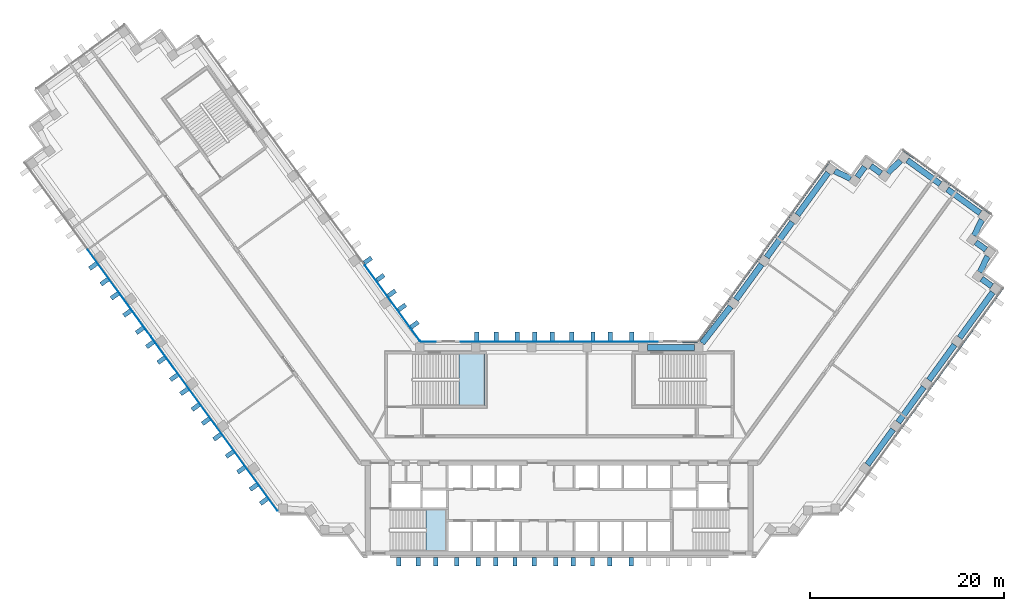
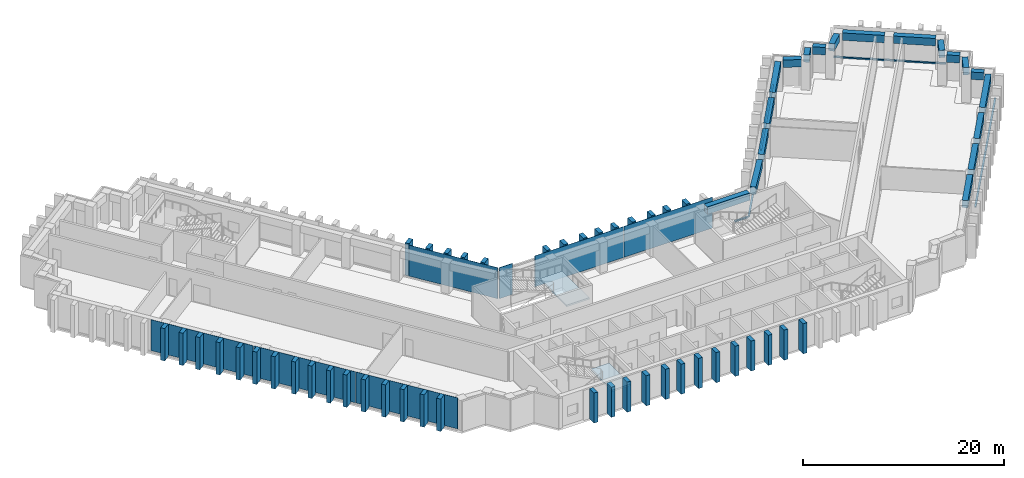
"""IFC4 building model written with IfcOpenShell, lengths in metres."""

import ifcopenshell
import ifcopenshell.guid

model = None  # the IFC model being written
_history = None  # IfcOwnerHistory: only IFC2X3 demands one
_inside = {}  # id of a spatial element -> (the spatial element, [elements in it])
_under = {}  # id of a project, library or spatial element -> (it, [spatial elements below it])
_declared = {}  # id of a project -> (the project, [libraries it declares])
_typed = {}  # id of a type object -> (the type object, [elements of that type])
_made_of = {}  # id of a material, layer set ... -> (it, [elements and type objects made of it])


def new_model(schema):
    """Start an empty IFC model of exactly this schema.

    Asked for "IFC4X3", IfcOpenShell would pick the latest addendum, in which some entities
    have other attributes; the version numbers below select the first issue.
    IFC2X3 requires an IfcOwnerHistory on every rooted entity: one is made here for all.
    """
    global model, _history
    if schema == "IFC4X3":
        model = ifcopenshell.file(schema_version=(4, 3, 0, 0))
    else:
        model = ifcopenshell.file(schema=schema)
    _inside.clear()
    _under.clear()
    _declared.clear()
    _typed.clear()
    _made_of.clear()
    _history = None
    if model.schema == "IFC2X3":
        org = make("IfcOrganization", Name="unknown")
        user = make(
            "IfcPersonAndOrganization",
            ThePerson=make("IfcPerson", FamilyName="unknown"),
            TheOrganization=org,
        )
        app = make(
            "IfcApplication",
            ApplicationDeveloper=org,
            Version="unknown",
            ApplicationFullName="unknown",
            ApplicationIdentifier="unknown",
        )
        _history = make(
            "IfcOwnerHistory",
            OwningUser=user,
            OwningApplication=app,
            ChangeAction="ADDED",
            CreationDate=0,
        )
    return model


def make(cls, **values):
    """One entity of the class cls with the attributes given. An attribute that is None is left unset."""
    return model.create_entity(
        cls, **{name: value for name, value in values.items() if value is not None}
    )


def rooted(cls, **values):
    """An entity with a GlobalId (a new one), such as an element, a storey or a relation."""
    return make(cls, GlobalId=ifcopenshell.guid.new(), OwnerHistory=_history, **values)


def si_unit(unit_type, name, prefix=None):
    """IfcSIUnit, for example si_unit("LENGTHUNIT", "METRE", prefix="MILLI")."""
    return make("IfcSIUnit", UnitType=unit_type, Prefix=prefix, Name=name)


def assignment(units):
    """IfcUnitAssignment: the units of a project."""
    return None if units is None else make("IfcUnitAssignment", Units=units)


def point(xyz):
    """IfcCartesianPoint."""
    return None if xyz is None else make("IfcCartesianPoint", Coordinates=xyz)


def direction(xyz):
    """IfcDirection."""
    return None if xyz is None else make("IfcDirection", DirectionRatios=xyz)


def frame(location, z_axis=None, x_axis=None):
    """IfcAxis2Placement3D, a coordinate frame: its origin and axes. An axis left out is left unset."""
    return make(
        "IfcAxis2Placement3D",
        Location=point(location),
        Axis=direction(z_axis),
        RefDirection=direction(x_axis),
    )


def frame_2d(location, x_axis=None):
    """IfcAxis2Placement2D, a coordinate frame in the plane: its origin and x axis."""
    return make(
        "IfcAxis2Placement2D", Location=point(location), RefDirection=direction(x_axis)
    )


def origin():
    """The frame at (0, 0, 0) with its axes left unset."""
    return frame((0.0, 0.0, 0.0))


def origin_2d():
    """The frame at (0, 0) in the plane with its x axis left unset."""
    return frame_2d((0.0, 0.0))


def place(relative_to, where):
    """IfcLocalPlacement: puts the frame where relative to a parent placement (None: the world)."""
    return make(
        "IfcLocalPlacement", PlacementRelTo=relative_to, RelativePlacement=where
    )


def context(
    kind, dimensions, precision=None, world=None, true_north=None, identifier=None
):
    """IfcGeometricRepresentationContext, for example the 3D "Model" context."""
    return make(
        "IfcGeometricRepresentationContext",
        ContextIdentifier=identifier,
        ContextType=kind,
        CoordinateSpaceDimension=dimensions,
        Precision=precision,
        WorldCoordinateSystem=world,
        TrueNorth=true_north,
    )


def subcontext(parent, identifier, kind, view, scale=None):
    """IfcGeometricRepresentationSubContext, for example "Body" below "Model"."""
    return make(
        "IfcGeometricRepresentationSubContext",
        ContextIdentifier=identifier,
        ContextType=kind,
        ParentContext=parent,
        TargetScale=scale,
        TargetView=view,
    )


def project(units=None, contexts=None):
    """IfcProject with its units and contexts."""
    return rooted(
        "IfcProject",
        Name="project",
        RepresentationContexts=contexts,
        UnitsInContext=assignment(units),
    )


def spatial(cls, under=None, at=None, **own):
    """A site, building, storey or space (cls), placed at a placement, below another one or the project."""
    s = rooted(cls, ObjectPlacement=at, **own)
    if under is not None:
        _under.setdefault(under.id(), (under, []))[1].append(s)
    return s


def polyline(points):
    """IfcPolyline through the points."""
    return make("IfcPolyline", Points=[point(p) for p in points])


def profile(cls, at=None, kind="AREA", **sizes):
    """A parametric profile (cls). Its sizes go by their IFC names, for example OverallWidth=200.0."""
    return make(cls, ProfileType=kind, Position=at, **sizes)


def rectangle(**sizes):
    """IfcRectangleProfileDef."""
    return profile("IfcRectangleProfileDef", **sizes)


def outline(outer, holes=None, kind="AREA"):
    """IfcArbitraryClosedProfileDef: a profile drawn as a closed curve; with holes, ...WithVoids."""
    if holes is None:
        return make("IfcArbitraryClosedProfileDef", ProfileType=kind, OuterCurve=outer)
    return make(
        "IfcArbitraryProfileDefWithVoids",
        ProfileType=kind,
        OuterCurve=outer,
        InnerCurves=holes,
    )


def extrude(swept, where, along, depth):
    """IfcExtrudedAreaSolid: the profile swept, set in the frame where, extruded along a direction by depth."""
    return make(
        "IfcExtrudedAreaSolid",
        SweptArea=swept,
        Position=where,
        ExtrudedDirection=direction(along),
        Depth=depth,
    )


def shape(context_of_items, identifier, shape_type, items):
    """IfcShapeRepresentation: the items that make up one representation, for example the "Body"."""
    return make(
        "IfcShapeRepresentation",
        ContextOfItems=context_of_items,
        RepresentationIdentifier=identifier,
        RepresentationType=shape_type,
        Items=items,
    )


def material(Name=None, Category=None):
    """IfcMaterial."""
    return make("IfcMaterial", Name=Name, Category=Category)


def layer(
    of_material, thickness, ventilated=None, Name=None, Category=None, Priority=None
):
    """IfcMaterialLayer: one layer of a wall or slab, of a material (None: an air gap)."""
    return make(
        "IfcMaterialLayer",
        Material=of_material,
        LayerThickness=thickness,
        IsVentilated=ventilated,
        Name=Name,
        Category=Category,
        Priority=Priority,
    )


def layer_set(layers, Name=None):
    """IfcMaterialLayerSet."""
    return make("IfcMaterialLayerSet", MaterialLayers=layers, LayerSetName=Name)


def material_profile(
    of_material, cross_section, Name=None, Category=None, Priority=None
):
    """IfcMaterialProfile: a cross section and its material."""
    return make(
        "IfcMaterialProfile",
        Name=Name,
        Material=of_material,
        Profile=cross_section,
        Priority=Priority,
        Category=Category,
    )


def profile_set(profiles, Name=None, composite=None):
    """IfcMaterialProfileSet."""
    return make(
        "IfcMaterialProfileSet",
        Name=Name,
        MaterialProfiles=profiles,
        CompositeProfile=composite,
    )


def made_of(thing, what):
    """Note that an element or type object is made of a material, layer set ...; save() writes the relation."""
    if what is not None:
        _made_of.setdefault(what.id(), (what, []))[1].append(thing)
    return thing


def type_object(cls, material=None, **own):
    """A type object (cls), such as IfcWallType, which elements share."""
    return made_of(rooted(cls, **own), material)


def element(
    cls,
    number,
    at=None,
    inside=None,
    cuts=None,
    type_object=None,
    material=None,
    context=None,
    identifier="Body",
    shape_type=None,
    held_by="IfcProductDefinitionShape",
    body=None,
    shapes=None,
    **own,
):
    """One element of the class cls, such as IfcWall. Its Tag is "e" and its number.

    at: its placement. inside: the storey or other place that contains it. cuts: it is an
    opening in that element (IfcRelVoidsElement). A single representation is given by context,
    identifier, shape_type and body (its items); several are given by shapes. held_by: the class
    of the entity that holds the representations. save() writes the other relations.
    """
    e = rooted(cls, Tag="e%d" % number, ObjectPlacement=at, **own)
    if body is not None:
        shapes = [shape(context, identifier, shape_type, body)]
    if shapes is not None:
        e.Representation = make(held_by, Representations=shapes)
    if inside is not None:
        _inside.setdefault(inside.id(), (inside, []))[1].append(e)
    if cuts is not None:
        rooted(
            "IfcRelVoidsElement", RelatingBuildingElement=cuts, RelatedOpeningElement=e
        )
    if type_object is not None:
        _typed.setdefault(type_object.id(), (type_object, []))[1].append(e)
    return made_of(e, material)


def aggregate(whole, parts):
    """IfcRelAggregates: a whole, such as a stair, and the parts it consists of."""
    return rooted("IfcRelAggregates", RelatingObject=whole, RelatedObjects=parts)


def save(model, path):
    """Write the relations noted so far, then the file.

    IfcRelAggregates (storeys below a building ...), IfcRelContainedInSpatialStructure (elements
    in a storey), IfcRelDefinesByType, IfcRelAssociatesMaterial and IfcRelDeclares: one each for
    every whole, place, type object, material and project.
    """
    for whole, parts in _under.values():
        aggregate(whole, parts)
    for where, things in _inside.values():
        rooted(
            "IfcRelContainedInSpatialStructure",
            RelatedElements=things,
            RelatingStructure=where,
        )
    for kind, things in _typed.values():
        rooted("IfcRelDefinesByType", RelatedObjects=things, RelatingType=kind)
    for what, things in _made_of.values():
        rooted("IfcRelAssociatesMaterial", RelatedObjects=things, RelatingMaterial=what)
    for by, libraries in _declared.values():
        rooted("IfcRelDeclares", RelatingContext=by, RelatedDefinitions=libraries)
    model.write(path)


model = new_model("IFC4")

# Units and contexts
model_context = context("Model", 3, precision=1e-05, world=origin(), true_north=direction((0.0, 1.0)))
body_context = subcontext(model_context, "Body", "Model", "MODEL_VIEW")
ifc_project = project(units=[si_unit("LENGTHUNIT", "METRE"), si_unit("AREAUNIT", "SQUARE_METRE"), si_unit("VOLUMEUNIT", "CUBIC_METRE"), si_unit("PLANEANGLEUNIT", "RADIAN"), si_unit("MASSUNIT", "GRAM", prefix="KILO")], contexts=[model_context])

# Site, building, storey
site_placement = place(None, origin())
site = spatial("IfcSite", under=ifc_project, at=site_placement, CompositionType="ELEMENT")
building_placement = place(site_placement, origin())
building = spatial("IfcBuilding", under=site, at=building_placement, Name="Quipu Civic Tower", CompositionType="ELEMENT")
storey_1_placement = place(building_placement, frame((0.0, 0.0, 117.0)))
storey_1 = spatial("IfcBuildingStorey", under=building, at=storey_1_placement, Name="L27", CompositionType="ELEMENT", Elevation=117.0)

# Beams
ifc_material_1 = material(Name="Concrete C50/60", Category="concrete")
ifc_material_profile_1 = material_profile(ifc_material_1, rectangle(XDim=0.60009765625, YDim=0.89990234375, at=origin_2d()), Name="RC600x900")
ifc_profile_set_1 = profile_set([ifc_material_profile_1], Name="Concrete C50/60")
beam_type = type_object("IfcBeamType", Name="Spandrel beam RC 600x900 C50/60", PredefinedType="SPANDREL", material=ifc_profile_set_1)
beam_1_placement = place(storey_1_placement, frame((31.812744140625, -1.604736328125, 3.199951171875), z_axis=(0.587778073121, 0.809022210299, 0.0), x_axis=(-0.809022210299, 0.587778073121, 0.0)))
element("IfcBeam", 1, at=beam_1_placement, inside=storey_1, type_object=beam_type, Name="Spandrel beam L27 E-OUT-01 to E-OUT-02", PredefinedType="SPANDREL", context=body_context, shape_type="SweptSolid", body=[
    extrude(rectangle(XDim=0.60009765625, YDim=0.89990234375, at=origin_2d()), origin(), (0.0, 0.0, 1.0), 4.5),
])
beam_2_placement = place(storey_1_placement, frame((34.98681640625, 2.76416015625, 3.199951171875), z_axis=(0.587803872688, 0.809003465539, 0.0), x_axis=(-0.809003465539, 0.587803872688, 0.0)))
element("IfcBeam", 2, at=beam_2_placement, inside=storey_1, type_object=beam_type, Name="Spandrel beam L27 E-OUT-02 to E-OUT-03", PredefinedType="SPANDREL", context=body_context, shape_type="SweptSolid", body=[
    extrude(rectangle(XDim=0.60009765625, YDim=0.89990234375, at=origin_2d()), origin(), (0.0, 0.0, 1.0), 4.499755859375),
])
beam_3_placement = place(storey_1_placement, frame((38.160888671875, 7.1328125, 3.199951171875), z_axis=(0.587778073121, 0.809022210299, 0.0), x_axis=(-0.809022210299, 0.587778073121, 0.0)))
element("IfcBeam", 3, at=beam_3_placement, inside=storey_1, type_object=beam_type, Name="Spandrel beam L27 E-OUT-03 to E-OUT-04", PredefinedType="SPANDREL", context=body_context, shape_type="SweptSolid", body=[
    extrude(rectangle(XDim=0.60009765625, YDim=0.89990234375, at=origin_2d()), origin(), (0.0, 0.0, 1.0), 4.5),
])
beam_4_placement = place(storey_1_placement, frame((41.3349609375, 11.50146484375, 3.199951171875), z_axis=(0.587766353983, 0.809030724463, 0.0), x_axis=(-0.809030724463, 0.587766353983, 0.0)))
element("IfcBeam", 4, at=beam_4_placement, inside=storey_1, type_object=beam_type, Name="Spandrel beam L27 E-OUT-04 to T-Eo.0-E34", PredefinedType="SPANDREL", context=body_context, shape_type="SweptSolid", body=[
    extrude(rectangle(XDim=0.60009765625, YDim=0.89990234375, at=origin_2d()), origin(), (0.0, 0.0, 1.0), 5.802734375),
])
beam_5_placement = place(storey_1_placement, frame((44.646240234375, 16.82470703125, 3.199951171875), z_axis=(-0.808524921146, 0.588461937499, 0.0), x_axis=(-0.588461937499, -0.808524921146, 0.0)))
element("IfcBeam", 5, at=beam_5_placement, inside=storey_1, type_object=beam_type, Name="Spandrel beam L27 T-Eo.0-E34 to T-Eo.1-E34", PredefinedType="SPANDREL", context=body_context, shape_type="SweptSolid", body=[
    extrude(rectangle(XDim=0.60009765625, YDim=0.89990234375, at=origin_2d()), origin(), (0.0, 0.0, 1.0), 1.30029296875),
])
beam_6_placement = place(storey_1_placement, frame((43.42822265625, 18.267578125, 3.199951171875), z_axis=(0.430677818234, 0.902505743406, 0.0), x_axis=(-0.902505743406, 0.430677818234, 0.0)))
element("IfcBeam", 6, at=beam_6_placement, inside=storey_1, type_object=beam_type, Name="Spandrel beam L27 T-Eo.1-E34 to T-Eo.2-E34", PredefinedType="SPANDREL", context=body_context, shape_type="SweptSolid", body=[
    extrude(rectangle(XDim=0.60009765625, YDim=0.89990234375, at=origin_2d()), origin(), (0.0, 0.0, 1.0), 1.833251953125),
])
beam_7_placement = place(storey_1_placement, frame((44.05078125, 20.59912109375, 3.199951171875), z_axis=(-0.809393823939, 0.587266240959, 0.0), x_axis=(-0.587266240959, -0.809393823939, 0.0)))
element("IfcBeam", 7, at=beam_7_placement, inside=storey_1, type_object=beam_type, Name="Spandrel beam L27 T-Eo.2-E34 to T-Eo.3-E34", PredefinedType="SPANDREL", context=body_context, shape_type="SweptSolid", body=[
    extrude(rectangle(XDim=0.60009765625, YDim=0.89990234375, at=origin_2d()), origin(), (0.0, 0.0, 1.0), 1.299072265625),
])
beam_8_placement = place(storey_1_placement, frame((42.83154296875, 22.03955078125, 3.199951171875), z_axis=(0.429892146977, 0.902880247856, 0.0), x_axis=(-0.902880247856, 0.429892146977, 0.0)))
element("IfcBeam", 8, at=beam_8_placement, inside=storey_1, type_object=beam_type, Name="Spandrel beam L27 T-Eo.3-E34 to T-Eo.4-E34", PredefinedType="SPANDREL", context=body_context, shape_type="SweptSolid", body=[
    extrude(rectangle(XDim=0.60009765625, YDim=0.89990234375, at=origin_2d()), origin(), (0.0, 0.0, 1.0), 1.829833984375),
])
beam_9_placement = place(storey_1_placement, frame((43.450927734375, 24.36962890625, 3.199951171875), z_axis=(-0.808987489375, 0.587825860298, 0.0), x_axis=(-0.587825860298, -0.808987489375, 0.0)))
element("IfcBeam", 9, at=beam_9_placement, inside=storey_1, type_object=beam_type, Name="Spandrel beam L27 T-Eo.4-E34 to TIP-E-01-E34", PredefinedType="SPANDREL", context=body_context, shape_type="SweptSolid", body=[
    extrude(rectangle(XDim=0.60009765625, YDim=0.89990234375, at=origin_2d()), origin(), (0.0, 0.0, 1.0), 4.1982421875),
])
beam_10_placement = place(storey_1_placement, frame((39.32666015625, 27.366455078125, 3.199951171875), z_axis=(-0.808969789945, 0.58785021813, 0.0), x_axis=(-0.58785021813, -0.808969789945, 0.0)))
element("IfcBeam", 10, at=beam_10_placement, inside=storey_1, type_object=beam_type, Name="Spandrel beam L27 TIP-E-01-E34 to T-Ei.0-E34", PredefinedType="SPANDREL", context=body_context, shape_type="SweptSolid", body=[
    extrude(rectangle(XDim=0.60009765625, YDim=0.89990234375, at=origin_2d()), origin(), (0.0, 0.0, 1.0), 4.199951171875),
])
beam_11_placement = place(storey_1_placement, frame((35.233154296875, 29.784912109375, 3.199951171875), z_axis=(-0.725209203815, -0.688528583795, 0.0), x_axis=(0.688528583795, -0.725209203815, 0.0)))
element("IfcBeam", 11, at=beam_11_placement, inside=storey_1, type_object=beam_type, Name="Spandrel beam L27 T-Ei.0-E34 to T-Ei.1-E34", PredefinedType="SPANDREL", context=body_context, shape_type="SweptSolid", body=[
    extrude(rectangle(XDim=0.60009765625, YDim=0.89990234375, at=origin_2d()), origin(), (0.0, 0.0, 1.0), 1.830322265625),
])
beam_12_placement = place(storey_1_placement, frame((33.209716796875, 28.4736328125, 3.199951171875), z_axis=(-0.809402563526, 0.587254195521, 0.0), x_axis=(-0.587254195521, -0.809402563526, 0.0)))
element("IfcBeam", 12, at=beam_12_placement, inside=storey_1, type_object=beam_type, Name="Spandrel beam L27 T-Ei.1-E34 to T-Ei.2-E34", PredefinedType="SPANDREL", context=body_context, shape_type="SweptSolid", body=[
    extrude(rectangle(XDim=0.60009765625, YDim=0.89990234375, at=origin_2d()), origin(), (0.0, 0.0, 1.0), 1.2978515625),
])
beam_13_placement = place(storey_1_placement, frame((31.52978515625, 29.136474609375, 3.199951171875), z_axis=(-0.589187485143, -0.80799635355, 0.0), x_axis=(0.80799635355, -0.589187485143, 0.0)))
element("IfcBeam", 13, at=beam_13_placement, inside=storey_1, type_object=beam_type, Name="Spandrel beam L27 T-Ei.2-E34 to T-Ei.3-E34", PredefinedType="SPANDREL", context=body_context, shape_type="SweptSolid", body=[
    extrude(rectangle(XDim=0.60009765625, YDim=0.89990234375, at=origin_2d()), origin(), (0.0, 0.0, 1.0), 1.2998046875),
])
beam_14_placement = place(storey_1_placement, frame((30.085693359375, 27.919677734375, 3.199951171875), z_axis=(-0.902567013751, 0.430549399823, 0.0), x_axis=(-0.430549399823, -0.902567013751, 0.0)))
element("IfcBeam", 14, at=beam_14_placement, inside=storey_1, type_object=beam_type, Name="Spandrel beam L27 T-Ei.3-E34 to T-Ei.4-E34", PredefinedType="SPANDREL", context=body_context, shape_type="SweptSolid", body=[
    extrude(rectangle(XDim=0.60009765625, YDim=0.89990234375, at=origin_2d()), origin(), (0.0, 0.0, 1.0), 1.8310546875),
])
beam_15_placement = place(storey_1_placement, frame((27.755615234375, 28.541015625, 3.199951171875), z_axis=(-0.58767640123, -0.809096068114, 0.0), x_axis=(0.809096068114, -0.58767640123, 0.0)))
element("IfcBeam", 15, at=beam_15_placement, inside=storey_1, type_object=beam_type, Name="Spandrel beam L27 T-Ei.4-E34 to E-IN-03", PredefinedType="SPANDREL", context=body_context, shape_type="SweptSolid", body=[
    extrude(rectangle(XDim=0.60009765625, YDim=0.89990234375, at=origin_2d()), origin(), (0.0, 0.0, 1.0), 5.39404296875),
])
for number, where, z_axis, x_axis, name in (
    (16, (24.056884765625, 23.448486328125, 3.199951171875), (-0.587778073121, -0.809022210299, 0.0), (0.809022210299, -0.587778073121, 0.0), "Spandrel beam L27 E-IN-03 to E-IN-02"),
    (17, (20.8828125, 19.079833984375, 3.199951171875), (-0.587716763865, -0.809066749701, 0.0), (0.809066749701, -0.587716763865, 0.0), "Spandrel beam L27 E-IN-02 to E-IN-01"),
):
    element("IfcBeam", number, at=place(storey_1_placement, frame(where, z_axis=z_axis, x_axis=x_axis)), inside=storey_1, type_object=beam_type, Name=name, PredefinedType="SPANDREL", context=body_context, shape_type="SweptSolid", body=[
        extrude(rectangle(XDim=0.60009765625, YDim=0.89990234375, at=origin_2d()), origin(), (0.0, 0.0, 1.0), 4.5),
    ])
beam_16_placement = place(storey_1_placement, frame((17.6962890625, 14.72021484375, 3.199951171875), z_axis=(-0.616123961998, -0.787649200756, 0.0), x_axis=(0.787649200756, -0.616123961998, 0.0)))
element("IfcBeam", 18, at=beam_16_placement, inside=storey_1, type_object=beam_type, Name="Spandrel beam L27 E-IN-01 to J-Ei.0", PredefinedType="SPANDREL", context=body_context, shape_type="SweptSolid", body=[
    extrude(rectangle(XDim=0.60009765625, YDim=0.89990234375, at=origin_2d()), origin(), (0.0, 0.0, 1.0), 4.78662109375),
])
beam_17_placement = place(storey_1_placement, frame((13.9453125, 10.5, 3.199951171875), z_axis=(-1.0, 0.0, 0.0), x_axis=(0.0, -1.0, 0.0)))
element("IfcBeam", 19, at=beam_17_placement, inside=storey_1, type_object=beam_type, Name="Spandrel beam L27 J-Ei.0 to FRONT-01", PredefinedType="SPANDREL", context=body_context, shape_type="SweptSolid", body=[
    extrude(rectangle(XDim=0.60009765625, YDim=0.89990234375, at=origin_2d()), origin(), (0.0, 0.0, 1.0), 4.858154296875),
])

# Storey
storey_2_placement = place(building_placement, frame((0.0, 0.0, 113.0)))
storey_2 = spatial("IfcBuildingStorey", under=building, at=storey_2_placement, Name="L26", CompositionType="ELEMENT", Elevation=113.0)

# Curtain wall, members
ifc_material_2 = material(Name="Insulated glass unit", Category="glass")
curtain_wall_type = type_object("IfcCurtainWallType", Name="Office curtain wall CW1", PredefinedType="NOTDEFINED", material=ifc_material_2)
curtain_wall_1_placement = place(storey_2_placement, origin())
curtain_wall_1 = element("IfcCurtainWall", 20, at=curtain_wall_1_placement, inside=storey_2, type_object=curtain_wall_type, Name="Office curtain wall CW1 L25 run 23", PredefinedType="NOTDEFINED")
ifc_material_3 = material(Name="Anodised aluminium", Category="aluminium")
ifc_material_profile_2 = material_profile(ifc_material_3, rectangle(XDim=0.199951171875, YDim=0.159912109375, at=origin_2d()), Name="RECT 200x160")
ifc_profile_set_2 = profile_set([ifc_material_profile_2], Name="Anodised aluminium")
member_type = type_object("IfcMemberType", Name="Transom CW1", PredefinedType="USERDEFINED", material=ifc_profile_set_2)
member_1_placement = place(storey_1_placement, frame((34.67724609375, 1.317138671875, 0.080078125), z_axis=(0.587790407593, 0.809013248805, 0.0), x_axis=(-0.809013248805, 0.587790407593, 0.0)))
member_1 = element("IfcMember", 21, at=member_1_placement, inside=storey_1, type_object=member_type, Name="CW1 transom 2.3", ObjectType="TRANSOM", PredefinedType="USERDEFINED", context=body_context, shape_type="SweptSolid", body=[
    extrude(rectangle(XDim=0.199951171875, YDim=0.159912109375, at=origin_2d()), origin(), (0.0, 0.0, 1.0), 9.443359375),
])
member_2_placement = place(storey_1_placement, frame((40.275146484375, 9.02197265625, 0.080078125), z_axis=(0.58778879159, 0.809014422913, 0.0), x_axis=(-0.809014422913, 0.58778879159, 0.0)))
member_2 = element("IfcMember", 22, at=member_2_placement, inside=storey_1, type_object=member_type, Name="CW1 transom 3.3", ObjectType="TRANSOM", PredefinedType="USERDEFINED", context=body_context, shape_type="SweptSolid", body=[
    extrude(rectangle(XDim=0.199951171875, YDim=0.159912109375, at=origin_2d()), origin(), (0.0, 0.0, 1.0), 9.403564453125),
])
aggregate(curtain_wall_1, [member_1, member_2])

# Curtain wall, member
curtain_wall_2_placement = place(storey_2_placement, origin())
curtain_wall_2 = element("IfcCurtainWall", 23, at=curtain_wall_2_placement, inside=storey_2, type_object=curtain_wall_type, Name="Office curtain wall CW1 L25 run 25", PredefinedType="NOTDEFINED")
member_3_placement = place(storey_1_placement, frame((44.590087890625, 24.2841796875, 0.080078125), z_axis=(-0.809014959561, 0.587788052963, 0.0), x_axis=(-0.587788052963, -0.809014959561, 0.0)))
member_3 = element("IfcMember", 24, at=member_3_placement, inside=storey_1, type_object=member_type, Name="CW1 transom 1.3", ObjectType="TRANSOM", PredefinedType="USERDEFINED", context=body_context, shape_type="SweptSolid", body=[
    extrude(rectangle(XDim=0.199951171875, YDim=0.159912109375, at=origin_2d()), origin(), (0.0, 0.0, 1.0), 11.239990234375),
])
aggregate(curtain_wall_2, [member_3])

# Curtain wall, members
curtain_wall_3_placement = place(storey_2_placement, origin())
curtain_wall_3 = element("IfcCurtainWall", 25, at=curtain_wall_3_placement, inside=storey_2, type_object=curtain_wall_type, Name="Office curtain wall CW1 L25 run 30", PredefinedType="NOTDEFINED")
member_4_placement = place(storey_1_placement, frame((27.84228515625, 29.678466796875, 0.080078125), z_axis=(-0.587775682251, -0.809023947331, 0.0), x_axis=(0.809023947331, -0.587775682251, 0.0)))
member_4 = element("IfcMember", 26, at=member_4_placement, inside=storey_1, type_object=member_type, Name="CW1 transom 1.3", ObjectType="TRANSOM", PredefinedType="USERDEFINED", context=body_context, shape_type="SweptSolid", body=[
    extrude(rectangle(XDim=0.199951171875, YDim=0.159912109375, at=origin_2d()), origin(), (0.0, 0.0, 1.0), 11.402099609375),
])
member_5_placement = place(storey_1_placement, frame((21.09326171875, 20.38916015625, 0.080078125), z_axis=(-0.587799878401, -0.809006367683, 0.0), x_axis=(0.809006367683, -0.587799878401, 0.0)))
member_5 = element("IfcMember", 27, at=member_5_placement, inside=storey_1, type_object=member_type, Name="CW1 transom 2.3", ObjectType="TRANSOM", PredefinedType="USERDEFINED", context=body_context, shape_type="SweptSolid", body=[
    extrude(rectangle(XDim=0.199951171875, YDim=0.159912109375, at=origin_2d()), origin(), (0.0, 0.0, 1.0), 11.402099609375),
])
aggregate(curtain_wall_3, [member_4, member_5])

# Curtain wall, member
curtain_wall_4_placement = place(storey_2_placement, origin())
curtain_wall_4 = element("IfcCurtainWall", 28, at=curtain_wall_4_placement, inside=storey_2, type_object=curtain_wall_type, Name="Office curtain wall CW1 L25 run 31", PredefinedType="NOTDEFINED")
member_6_placement = place(storey_1_placement, frame((14.26416015625, 11.10009765625, 0.080078125), z_axis=(-1.0, 0.0, 0.0), x_axis=(0.0, -1.0, 0.0)))
member_6 = element("IfcMember", 29, at=member_6_placement, inside=storey_1, type_object=member_type, Name="CW1 transom 1.3", ObjectType="TRANSOM", PredefinedType="USERDEFINED", context=body_context, shape_type="SweptSolid", body=[
    extrude(rectangle(XDim=0.199951171875, YDim=0.159912109375, at=origin_2d()), origin(), (0.0, 0.0, 1.0), 1.529052734375),
])
aggregate(curtain_wall_4, [member_6])

# Curtain wall, plate
curtain_wall_5_placement = place(storey_2_placement, origin())
curtain_wall_5 = element("IfcCurtainWall", 30, at=curtain_wall_5_placement, inside=storey_2, type_object=curtain_wall_type, Name="Office curtain wall CW1 L25 run 1", PredefinedType="NOTDEFINED")
ifc_material_4 = material(Name="Insulated glass unit", Category="glass")
ifc_layer_1 = layer(ifc_material_4, 0.028076171875)
ifc_layer_set_1 = layer_set([ifc_layer_1], Name="Insulated glass unit")
plate_type_1 = type_object("IfcPlateType", Name="Glass panel CW1", PredefinedType="CURTAIN_PANEL", material=ifc_layer_set_1)
plate_1_placement = place(storey_1_placement, frame((-17.224609375, 15.064697265625, 0.16015625), z_axis=(0.0, 0.0, 1.0), x_axis=(-0.587785887566, 0.809016532822, 0.0)))
plate_1 = element("IfcPlate", 31, at=plate_1_placement, inside=storey_1, type_object=plate_type_1, Name="CW1 panel 1.3", PredefinedType="CURTAIN_PANEL", context=body_context, shape_type="SweptSolid", body=[
    extrude(rectangle(XDim=9.64111328125, YDim=0.028076171875, at=origin_2d()), origin(), (0.0, 0.0, 1.0), 3.760009765625),
])
aggregate(curtain_wall_5, [plate_1])

# Curtain wall, plates
curtain_wall_6_placement = place(storey_2_placement, origin())
curtain_wall_6 = element("IfcCurtainWall", 32, at=curtain_wall_6_placement, inside=storey_2, type_object=curtain_wall_type, Name="Office curtain wall CW1 L25 run 11", PredefinedType="NOTDEFINED")
plate_2_placement = place(storey_1_placement, frame((-45.4296875, 16.11669921875, 0.16015625), z_axis=(0.0, 0.0, 1.0), x_axis=(0.587785559869, -0.809016770908, 0.0)))
plate_2 = element("IfcPlate", 33, at=plate_2_placement, inside=storey_1, type_object=plate_type_1, Name="CW1 panel 2.3", PredefinedType="CURTAIN_PANEL", context=body_context, shape_type="SweptSolid", body=[
    extrude(rectangle(XDim=11.062744140625, YDim=0.028076171875, at=origin_2d()), origin(), (0.0, 0.0, 1.0), 3.760009765625),
])
plate_3_placement = place(storey_1_placement, frame((-38.880126953125, 7.101806640625, 0.16015625), z_axis=(0.0, 0.0, 1.0), x_axis=(0.587785559869, -0.809016770908, 0.0)))
plate_3 = element("IfcPlate", 34, at=plate_3_placement, inside=storey_1, type_object=plate_type_1, Name="CW1 panel 3.3", PredefinedType="CURTAIN_PANEL", context=body_context, shape_type="SweptSolid", body=[
    extrude(rectangle(XDim=11.062744140625, YDim=0.028076171875, at=origin_2d()), origin(), (0.0, 0.0, 1.0), 3.760009765625),
])
plate_4_placement = place(storey_1_placement, frame((-32.342529296875, -1.896484375, 0.16015625), z_axis=(0.0, 0.0, 1.0), x_axis=(0.587785559869, -0.809016770908, 0.0)))
plate_4 = element("IfcPlate", 35, at=plate_4_placement, inside=storey_1, type_object=plate_type_1, Name="CW1 panel 4.3", PredefinedType="CURTAIN_PANEL", context=body_context, shape_type="SweptSolid", body=[
    extrude(rectangle(XDim=11.022705078125, YDim=0.028076171875, at=origin_2d()), origin(), (0.0, 0.0, 1.0), 3.760009765625),
])
aggregate(curtain_wall_6, [plate_2, plate_3, plate_4])

curtain_wall_7_placement = place(storey_2_placement, origin())
curtain_wall_7 = element("IfcCurtainWall", 36, at=curtain_wall_7_placement, inside=storey_2, type_object=curtain_wall_type, Name="Office curtain wall CW1 L25 run 33", PredefinedType="NOTDEFINED")
plate_5_placement = place(storey_1_placement, frame((5.11181640625, 11.10009765625, 0.16015625), z_axis=(0.0, 0.0, 1.0), x_axis=(-1.0, 0.0, 0.0)))
plate_5 = element("IfcPlate", 37, at=plate_5_placement, inside=storey_1, type_object=plate_type_1, Name="CW1 panel 1.3", PredefinedType="CURTAIN_PANEL", context=body_context, shape_type="SweptSolid", body=[
    extrude(rectangle(XDim=10.1435546875, YDim=0.028076171875, at=origin_2d()), origin(), (0.0, 0.0, 1.0), 3.760009765625),
])
plate_6_placement = place(storey_1_placement, frame((-5.11181640625, 11.10009765625, 0.16015625), z_axis=(0.0, 0.0, 1.0), x_axis=(-1.0, 0.0, 0.0)))
plate_6 = element("IfcPlate", 38, at=plate_6_placement, inside=storey_1, type_object=plate_type_1, Name="CW1 panel 2.3", PredefinedType="CURTAIN_PANEL", context=body_context, shape_type="SweptSolid", body=[
    extrude(rectangle(XDim=10.1435546875, YDim=0.028076171875, at=origin_2d()), origin(), (0.0, 0.0, 1.0), 3.760009765625),
])
aggregate(curtain_wall_7, [plate_5, plate_6])

# Curtain wall, plate
curtain_wall_8_placement = place(storey_2_placement, origin())
curtain_wall_8 = element("IfcCurtainWall", 39, at=curtain_wall_8_placement, inside=storey_2, type_object=curtain_wall_type, Name="Office curtain wall CW1 L25 run 35", PredefinedType="NOTDEFINED")
plate_7_placement = place(storey_1_placement, frame((-13.49951171875, 11.10009765625, 0.16015625), z_axis=(0.0, 0.0, 1.0), x_axis=(-1.0, 0.0, 0.0)))
plate_7 = element("IfcPlate", 40, at=plate_7_placement, inside=storey_1, type_object=plate_type_1, Name="CW1 panel 1.3", PredefinedType="CURTAIN_PANEL", context=body_context, shape_type="SweptSolid", body=[
    extrude(rectangle(XDim=1.529296875, YDim=0.028076171875, at=origin_2d()), origin(), (0.0, 0.0, 1.0), 3.760009765625),
])
aggregate(curtain_wall_8, [plate_7])

# Plates
ifc_material_5 = material(Name="Precast concrete C40/50", Category="concrete")
plate_type_2 = type_object("IfcPlateType", Name="Precast fin F1", PredefinedType="SHEET", material=ifc_material_5)
for number, where, z_axis, x_axis, name in (
    (41, (-14.942138671875, 12.8583984375, 0.080078125), (0.0, 0.0, 1.0), (-0.587784944053, 0.809017218324, 0.0), "Precast fin F1 L27.P01.1"),
    (42, (-16.235107421875, 14.638427734375, 0.080078125), (0.0, 0.0, 1.0), (-0.587784944053, 0.809017218324, 0.0), "Precast fin F1 L27.P01.2"),
    (43, (-17.293212890625, 16.094482421875, 0.080078125), (0.0, 0.0, 1.0), (-0.587784944053, 0.809017218324, 0.0), "Precast fin F1 L27.P01.3"),
    (44, (-18.46875, 17.712646484375, 0.080078125), (0.0, 0.0, 1.0), (-0.587784944053, 0.809017218324, 0.0), "Precast fin F1 L27.P01.4"),
    (45, (-19.761962890625, 19.492431640625, 0.080078125), (0.0, 0.0, 1.0), (-0.587784944053, 0.809017218324, 0.0), "Precast fin F1 L27.P01.5"),
    (46, (-48.13134765625, 18.899169921875, 0.080078125), (0.0, 0.0, 1.0), (0.587785716149, -0.809016657363, 0.0), "Precast fin F1 L27.P11.7"),
    (47, (-46.955810546875, 17.28125, 0.080078125), (0.0, 0.0, 1.0), (0.587785716149, -0.809016657363, 0.0), "Precast fin F1 L27.P11.8"),
    (48, (-45.897705078125, 15.824951171875, 0.080078125), (0.0, 0.0, 1.0), (0.587785716149, -0.809016657363, 0.0), "Precast fin F1 L27.P11.9"),
    (49, (-44.6044921875, 14.045166015625, 0.080078125), (0.0, 0.0, 1.0), (0.587785716149, -0.809016657363, 0.0), "Precast fin F1 L27.P11.10"),
    (50, (-43.3115234375, 12.265380859375, 0.080078125), (0.0, 0.0, 1.0), (0.587785716149, -0.809016657363, 0.0), "Precast fin F1 L27.P11.11"),
    (51, (-42.25341796875, 10.80908203125, 0.080078125), (0.0, 0.0, 1.0), (0.587785716149, -0.809016657363, 0.0), "Precast fin F1 L27.P11.12"),
    (52, (-41.077880859375, 9.191162109375, 0.080078125), (0.0, 0.0, 1.0), (0.587785716149, -0.809016657363, 0.0), "Precast fin F1 L27.P11.13"),
    (53, (-39.78466796875, 7.4111328125, 0.080078125), (0.0, 0.0, 1.0), (0.587785716149, -0.809016657363, 0.0), "Precast fin F1 L27.P11.14"),
    (54, (-38.726806640625, 5.955078125, 0.080078125), (0.0, 0.0, 1.0), (0.587785716149, -0.809016657363, 0.0), "Precast fin F1 L27.P11.15"),
    (55, (-37.55126953125, 4.3369140625, 0.080078125), (0.0, 0.0, 1.0), (0.587785716149, -0.809016657363, 0.0), "Precast fin F1 L27.P11.16"),
    (56, (-36.4931640625, 2.880615234375, 0.080078125), (0.0, 0.0, 1.0), (0.587785716149, -0.809016657363, 0.0), "Precast fin F1 L27.P11.17"),
    (57, (-35.317626953125, 1.2626953125, 0.080078125), (0.0, 0.0, 1.0), (0.587785716149, -0.809016657363, 0.0), "Precast fin F1 L27.P11.18"),
    (58, (-34.0244140625, -0.51708984375, 0.080078125), (0.0, 0.0, 1.0), (0.587785716149, -0.809016657363, 0.0), "Precast fin F1 L27.P11.19"),
    (59, (-32.848876953125, -2.13525390625, 0.080078125), (0.0, 0.0, 1.0), (0.587785716149, -0.809016657363, 0.0), "Precast fin F1 L27.P11.20"),
    (60, (-31.5556640625, -3.9150390625, 0.080078125), (0.0, 0.0, 1.0), (0.587785716149, -0.809016657363, 0.0), "Precast fin F1 L27.P11.21"),
    (61, (-30.497802734375, -5.371337890625, 0.080078125), (0.0, 0.0, 1.0), (0.587785716149, -0.809016657363, 0.0), "Precast fin F1 L27.P11.22"),
):
    element("IfcPlate", number, at=place(storey_1_placement, frame(where, z_axis=z_axis, x_axis=x_axis)), inside=storey_1, type_object=plate_type_2, Name=name, PredefinedType="SHEET", context=body_context, shape_type="SweptSolid", body=[
        extrude(rectangle(XDim=0.449951171875, YDim=0.89990234375, at=origin_2d()), origin(), (0.0, 0.0, 1.0), 3.919921875),
    ])
for number, where, z_axis, x_axis, name in (
    (62, (-16.574951171875, -11.637939453125, 0.0), (0.0, 0.0, 1.0), (1.0, 0.0, 0.0), "Precast fin F1 L27.P18.1"),
    (63, (-14.574951171875, -11.637939453125, 0.0), (0.0, 0.0, 1.0), (1.0, 0.0, 0.0), "Precast fin F1 L27.P18.2"),
    (64, (-12.77490234375, -11.637939453125, 0.0), (0.0, 0.0, 1.0), (1.0, 0.0, 0.0), "Precast fin F1 L27.P18.3"),
    (65, (-10.574951171875, -11.637939453125, 0.0), (0.0, 0.0, 1.0), (1.0, 0.0, 0.0), "Precast fin F1 L27.P18.4"),
    (66, (-8.375, -11.637939453125, 0.0), (0.0, 0.0, 1.0), (1.0, 0.0, 0.0), "Precast fin F1 L27.P18.5"),
    (67, (-6.574951171875, -11.637939453125, 0.0), (0.0, 0.0, 1.0), (1.0, 0.0, 0.0), "Precast fin F1 L27.P18.6"),
    (68, (-4.574951171875, -11.637939453125, 0.0), (0.0, 0.0, 1.0), (1.0, 0.0, 0.0), "Precast fin F1 L27.P18.7"),
    (69, (-2.574951171875, -11.637939453125, 0.0), (0.0, 0.0, 1.0), (1.0, 0.0, 0.0), "Precast fin F1 L27.P18.8"),
    (70, (-0.375, -11.637939453125, 0.0), (0.0, 0.0, 1.0), (1.0, 0.0, 0.0), "Precast fin F1 L27.P18.9"),
    (71, (1.425048828125, -11.637939453125, 0.0), (0.0, 0.0, 1.0), (1.0, 0.0, 0.0), "Precast fin F1 L27.P18.10"),
    (72, (3.425048828125, -11.637939453125, 0.0), (0.0, 0.0, 1.0), (1.0, 0.0, 0.0), "Precast fin F1 L27.P18.11"),
    (73, (5.22509765625, -11.637939453125, 0.0), (0.0, 0.0, 1.0), (1.0, 0.0, 0.0), "Precast fin F1 L27.P18.12"),
    (74, (7.425048828125, -11.637939453125, 0.0), (0.0, 0.0, 1.0), (1.0, 0.0, 0.0), "Precast fin F1 L27.P18.13"),
):
    element("IfcPlate", number, at=place(storey_1_placement, frame(where, z_axis=z_axis, x_axis=x_axis)), inside=storey_1, type_object=plate_type_2, Name=name, PredefinedType="SHEET", context=body_context, shape_type="SweptSolid", body=[
        extrude(rectangle(XDim=0.449951171875, YDim=0.89990234375, at=origin_2d()), origin(), (0.0, 0.0, 1.0), 3.64990234375),
    ])
for number, where, z_axis, x_axis, name in (
    (75, (7.47509765625, 11.64990234375, 0.080078125), (0.0, 0.0, 1.0), (-1.0, 0.0, 0.0), "Precast fin F1 L27.P34.2"),
    (76, (5.27490234375, 11.64990234375, 0.080078125), (0.0, 0.0, 1.0), (-1.0, 0.0, 0.0), "Precast fin F1 L27.P34.3"),
    (77, (3.47509765625, 11.64990234375, 0.080078125), (0.0, 0.0, 1.0), (-1.0, 0.0, 0.0), "Precast fin F1 L27.P34.4"),
    (78, (1.27490234375, 11.64990234375, 0.080078125), (0.0, 0.0, 1.0), (-1.0, 0.0, 0.0), "Precast fin F1 L27.P34.5"),
    (79, (-0.72509765625, 11.64990234375, 0.080078125), (0.0, 0.0, 1.0), (-1.0, 0.0, 0.0), "Precast fin F1 L27.P34.6"),
    (80, (-2.52490234375, 11.64990234375, 0.080078125), (0.0, 0.0, 1.0), (-1.0, 0.0, 0.0), "Precast fin F1 L27.P34.7"),
    (81, (-4.324951171875, 11.64990234375, 0.080078125), (0.0, 0.0, 1.0), (-1.0, 0.0, 0.0), "Precast fin F1 L27.P34.8"),
    (82, (-6.52490234375, 11.64990234375, 0.080078125), (0.0, 0.0, 1.0), (-1.0, 0.0, 0.0), "Precast fin F1 L27.P34.9"),
    (83, (-8.52490234375, 11.64990234375, 0.080078125), (0.0, 0.0, 1.0), (-1.0, 0.0, 0.0), "Precast fin F1 L27.P34.10"),
):
    element("IfcPlate", number, at=place(storey_1_placement, frame(where, z_axis=z_axis, x_axis=x_axis)), inside=storey_1, type_object=plate_type_2, Name=name, PredefinedType="SHEET", context=body_context, shape_type="SweptSolid", body=[
        extrude(rectangle(XDim=0.449951171875, YDim=0.89990234375, at=origin_2d()), origin(), (0.0, 0.0, 1.0), 3.919921875),
    ])

# Stair, slab
ifc_material_6 = material(Name="Concrete C40/50", Category="concrete")
stair_type_1 = type_object("IfcStairType", Name="Half turn stair 2000", PredefinedType="HALF_TURN_STAIR", material=ifc_material_6)
stair_1_placement = place(storey_1_placement, origin())
stair_1 = element("IfcStair", 84, at=stair_1_placement, inside=storey_1, type_object=stair_type_1, Name="Exit stair 1", PredefinedType="HALF_TURN_STAIR")
ifc_material_7 = material(Name="Concrete C40/50", Category="concrete")
ifc_layer_2 = layer(ifc_material_7, 0.199951171875)
ifc_layer_set_2 = layer_set([ifc_layer_2], Name="Concrete C40/50")
slab_type = type_object("IfcSlabType", Name="Stair landing 200", PredefinedType="LANDING", material=ifc_layer_set_2)
slab_1_placement = place(storey_1_placement, frame((0.0, 0.0, 1.800048828125)))
slab_1 = element("IfcSlab", 85, at=slab_1_placement, type_object=slab_type, Name="ST-1 landing 1", PredefinedType="LANDING", context=body_context, shape_type="SweptSolid", body=[
    extrude(outline(polyline([(-13.780029296875, -10.5), (-11.699951171875, -10.5), (-11.699951171875, -6.25), (-13.780029296875, -6.25), (-13.780029296875, -10.5)])), origin(), (0.0, 0.0, 1.0), 0.199951171875),
])
aggregate(stair_1, [slab_1])

ifc_material_8 = material(Name="Concrete C40/50", Category="concrete")
stair_type_2 = type_object("IfcStairType", Name="Half turn stair 2600", PredefinedType="HALF_TURN_STAIR", material=ifc_material_8)
stair_2_placement = place(storey_1_placement, origin())
stair_2 = element("IfcStair", 86, at=stair_2_placement, inside=storey_1, type_object=stair_type_2, Name="Exit stair 3", PredefinedType="HALF_TURN_STAIR")
slab_2_placement = place(storey_1_placement, frame((0.0, 0.0, 1.800048828125)))
slab_2 = element("IfcSlab", 87, at=slab_2_placement, type_object=slab_type, Name="ST-3 landing 1", PredefinedType="LANDING", context=body_context, shape_type="SweptSolid", body=[
    extrude(outline(polyline([(-10.35009765625, 4.5), (-7.75, 4.5), (-7.75, 9.85009765625), (-10.35009765625, 9.85009765625), (-10.35009765625, 4.5)])), origin(), (0.0, 0.0, 1.0), 0.199951171875),
])
aggregate(stair_2, [slab_2])

save(model, "model.ifc")
